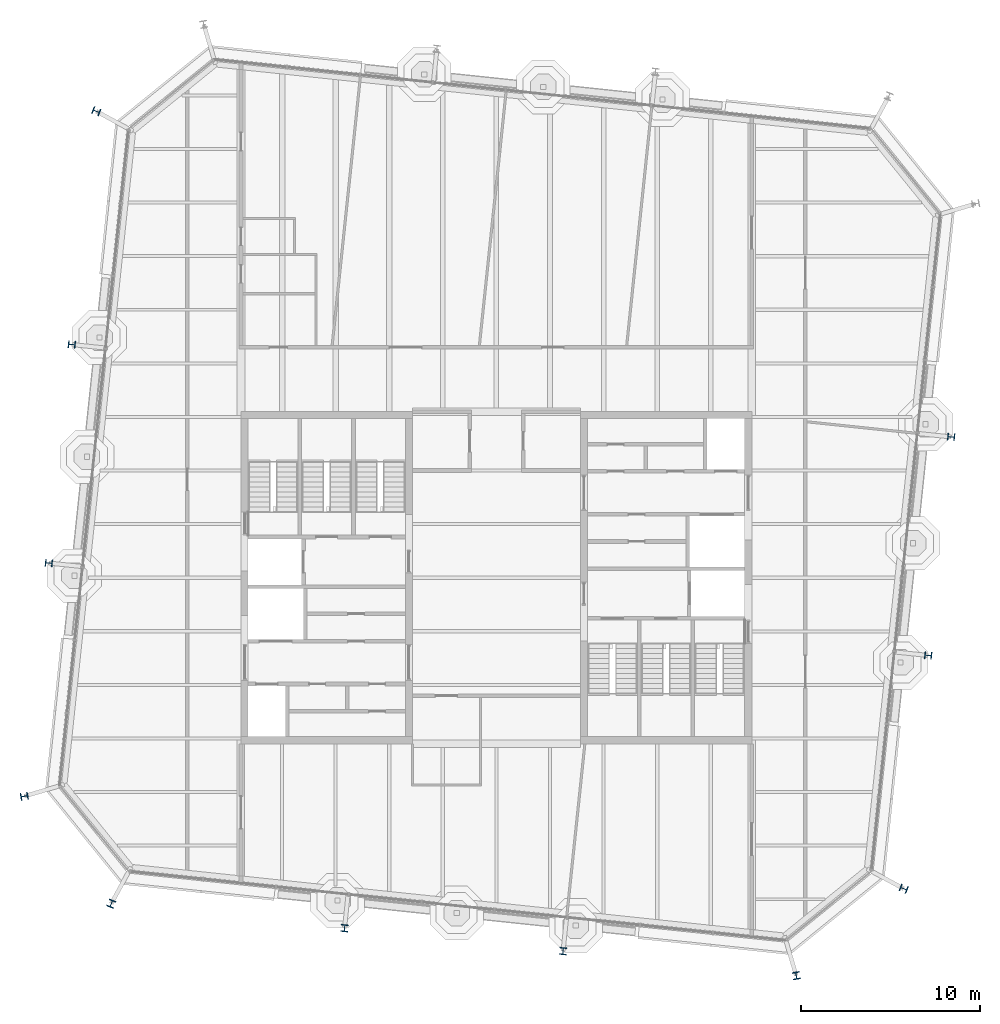
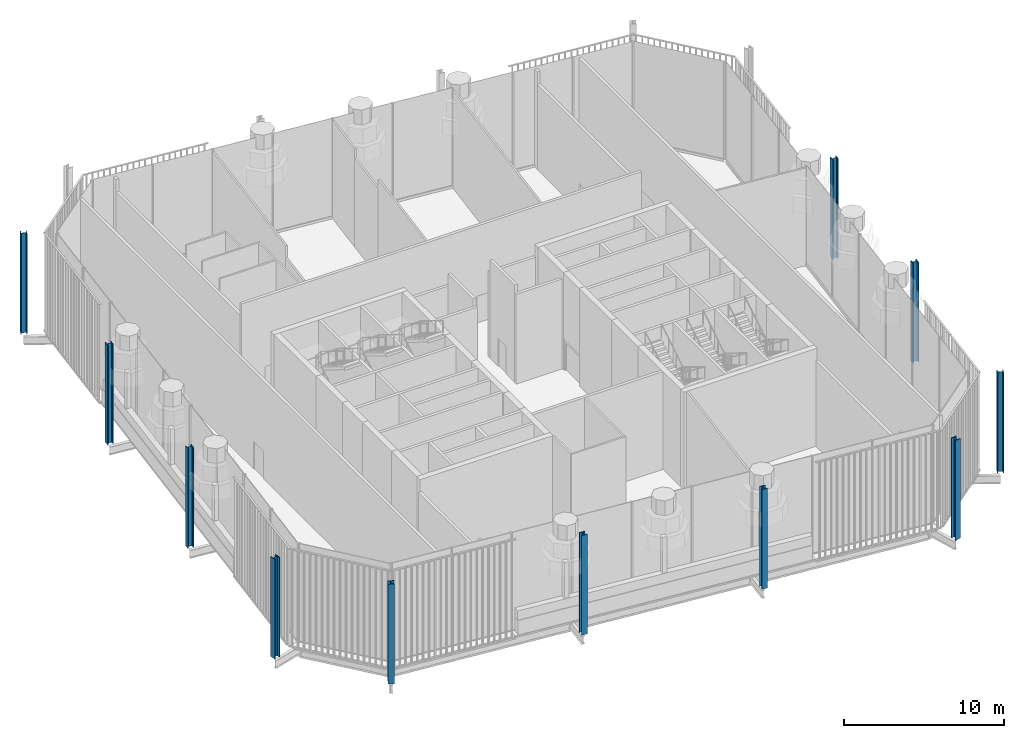
# One storey, part 1 of 17: 11 columns.
"""IFC4 building model written with IfcOpenShell, lengths in metres."""

from ifc_helpers import new_model, si_unit, direction, frame, origin, origin_2d, place, context, subcontext, project, spatial, i_section, extrude, material, material_profile, profile_set, type_object, element, save


model = new_model("IFC4")

# Units and contexts
model_context = context("Model", 3, precision=1e-05, world=origin(), true_north=direction((0.0, 1.0)))
body_context = subcontext(model_context, "Body", "Model", "MODEL_VIEW")
ifc_project = project(units=[si_unit("LENGTHUNIT", "METRE"), si_unit("AREAUNIT", "SQUARE_METRE"), si_unit("VOLUMEUNIT", "CUBIC_METRE"), si_unit("PLANEANGLEUNIT", "RADIAN"), si_unit("MASSUNIT", "GRAM", prefix="KILO")], contexts=[model_context])

# Site, building, storey
site_placement = place(None, origin())
site = spatial("IfcSite", under=ifc_project, at=site_placement, CompositionType="ELEMENT")
building_placement = place(site_placement, origin())
building = spatial("IfcBuilding", under=site, at=building_placement, Name="Millrace Tower", CompositionType="ELEMENT")
storey_placement = place(building_placement, frame((0.0, 0.0, 311.10009765625)))
storey = spatial("IfcBuildingStorey", under=building, at=storey_placement, Name="L72", CompositionType="ELEMENT", Elevation=311.10009765625)

# Columns
ifc_material_1 = material(Name="Steel ASTM A913 Grade 65", Category="steel")
ifc_material_profile_1 = material_profile(ifc_material_1, i_section(OverallWidth=0.4013671875, OverallDepth=0.398681640625, WebThickness=0.02490234375, FlangeThickness=0.03955078125, FilletRadius=0.01513671875, at=origin_2d()))
ifc_profile_set_1 = profile_set([ifc_material_profile_1], Name="Steel ASTM A913 Grade 65")
column_type_1 = type_object("IfcColumnType", Name="Exoskeleton column W14x211", PredefinedType="COLUMN", material=ifc_profile_set_1)
for number, where, z_axis, x_axis, name in (
    (1, (-8.50341796875, -19.62158203125, 0.0), (0.0, 0.0, 1.0), (0.994521897246, -0.104528445407, 0.0), "COL-E-L72-X03"),
    (2, (3.729248046875, -20.9072265625, 0.0), (0.0, 0.0, 1.0), (0.994521897246, -0.104528445407, 0.0), "COL-E-L72-X04"),
    (3, (24.171630859375, -4.353271484375, 0.0), (0.0, 0.0, 1.0), (0.104528445407, 0.994521897246, 0.0), "COL-E-L72-X07"),
    (4, (25.457275390625, 7.879150390625, 0.0), (0.0, 0.0, 1.0), (0.104528445407, 0.994521897246, 0.0), "COL-E-L72-X08"),
    (5, (-23.771484375, 13.053466796875, 0.0), (0.0, 0.0, 1.0), (-0.104528445407, -0.994521897246, 0.0), "COL-E-L72-X15"),
    (6, (-25.057373046875, 0.82080078125, 0.0), (0.0, 0.0, 1.0), (-0.104528445407, -0.994521897246, 0.0), "COL-E-L72-X16"),
):
    element("IfcColumn", number, at=place(storey_placement, frame(where, z_axis=z_axis, x_axis=x_axis)), inside=storey, type_object=column_type_1, Name=name, PredefinedType="COLUMN", context=body_context, shape_type="SweptSolid", body=[
        extrude(i_section(OverallWidth=0.4013671875, OverallDepth=0.398681640625, WebThickness=0.02490234375, FlangeThickness=0.03955078125, FilletRadius=0.01513671875, at=origin_2d()), origin(), (0.0, 0.0, 1.0), 7.599853515625),
    ])
ifc_material_2 = material(Name="Steel ASTM A913 Grade 65", Category="steel")
ifc_material_profile_2 = material_profile(ifc_material_2, i_section(OverallWidth=0.406494140625, OverallDepth=0.41650390625, WebThickness=0.030029296875, FlangeThickness=0.048095703125, FilletRadius=0.01513671875, at=origin_2d()))
ifc_profile_set_2 = profile_set([ifc_material_profile_2], Name="Steel ASTM A913 Grade 65")
column_type_2 = type_object("IfcColumnType", Name="Exoskeleton column W14x257", PredefinedType="COLUMN", material=ifc_profile_set_2)
for number, where, z_axis, x_axis, name in (
    (7, (-26.429443359375, -12.23583984375, 0.0), (0.0, 0.0, 1.0), (0.18038747256, -0.983595628164, 0.0), "COL-E-L72-X01"),
    (8, (-21.559814453125, -18.249267578125, 0.0), (0.0, 0.0, 1.0), (0.92459700658, -0.380946683176, 0.0), "COL-E-L72-X02"),
    (9, (16.78564453125, -22.279541015625, 0.0), (0.0, 0.0, 1.0), (0.983595628164, 0.18038747256, 0.0), "COL-E-L72-X05"),
    (10, (22.79931640625, -17.409912109375, 0.0), (0.0, 0.0, 1.0), (0.380946683176, 0.92459700658, 0.0), "COL-E-L72-X06"),
    (11, (-22.399169921875, 26.10986328125, 0.0), (0.0, 0.0, 1.0), (-0.380946683176, -0.92459700658, 0.0), "COL-E-L72-X14"),
):
    element("IfcColumn", number, at=place(storey_placement, frame(where, z_axis=z_axis, x_axis=x_axis)), inside=storey, type_object=column_type_2, Name=name, PredefinedType="COLUMN", context=body_context, shape_type="SweptSolid", body=[
        extrude(i_section(OverallWidth=0.406494140625, OverallDepth=0.41650390625, WebThickness=0.030029296875, FlangeThickness=0.048095703125, FilletRadius=0.01513671875, at=origin_2d()), origin(), (0.0, 0.0, 1.0), 7.599853515625),
    ])

save(model, "model.ifc")
